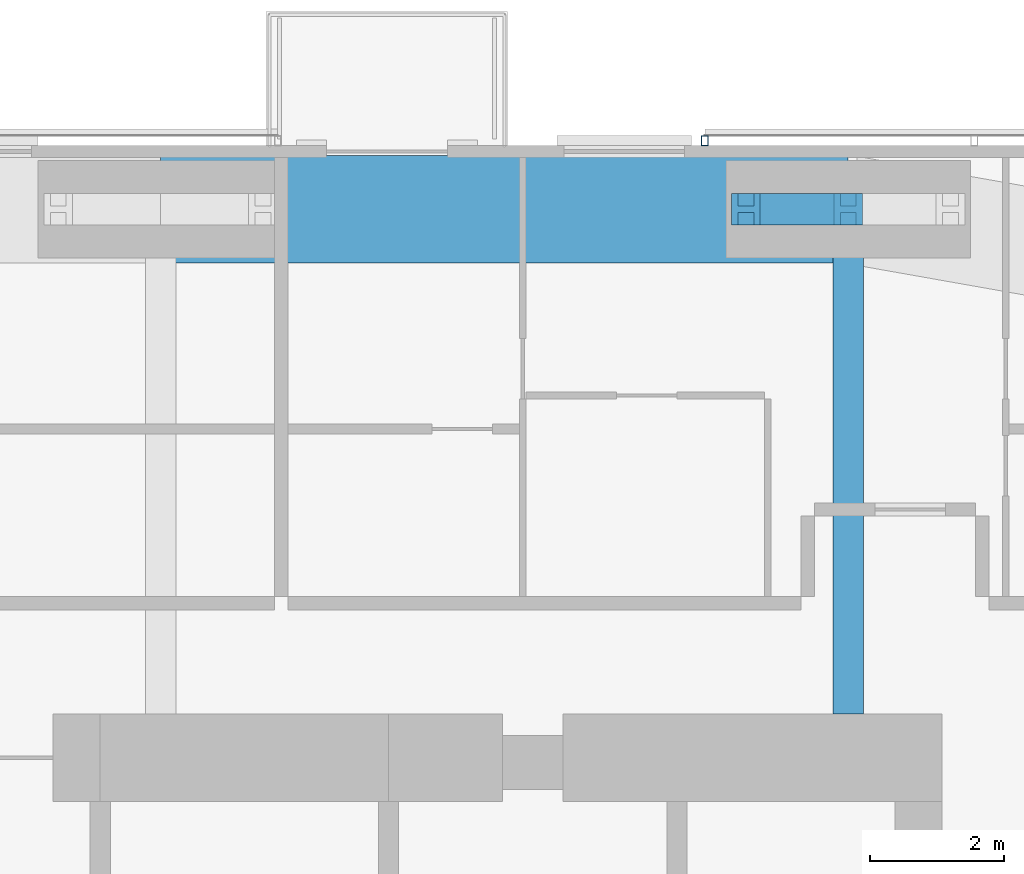
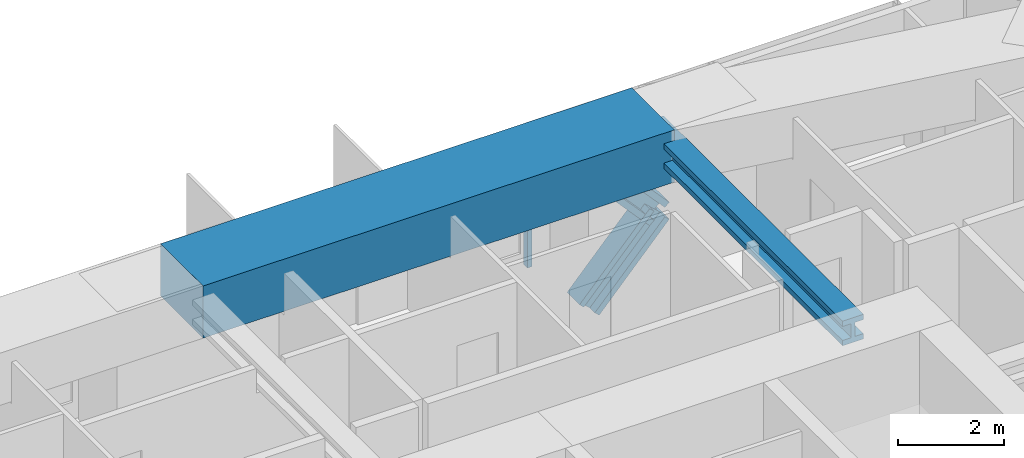
# One storey, part 12 of 23: 3 members, 2 beams, 1 element without a shape of its own.
"""IFC4 building model written with IfcOpenShell, lengths in metres."""

from ifc_helpers import new_model, si_unit, direction, frame, origin, origin_2d, place, context, subcontext, project, spatial, rectangle, hollow_rectangle, i_section, extrude, material, material_profile, profile_set, type_object, element, aggregate, save


model = new_model("IFC4")

# Units and contexts
model_context = context("Model", 3, precision=1e-05, world=origin(), true_north=direction((0.0, 1.0)))
body_context = subcontext(model_context, "Body", "Model", "MODEL_VIEW")
ifc_project = project(units=[si_unit("LENGTHUNIT", "METRE"), si_unit("AREAUNIT", "SQUARE_METRE"), si_unit("VOLUMEUNIT", "CUBIC_METRE"), si_unit("PLANEANGLEUNIT", "RADIAN"), si_unit("MASSUNIT", "GRAM", prefix="KILO")], contexts=[model_context])

# Site, building, storey
site_placement = place(None, origin())
site = spatial("IfcSite", under=ifc_project, at=site_placement, CompositionType="ELEMENT")
building_placement = place(site_placement, origin())
building = spatial("IfcBuilding", under=site, at=building_placement, Name="Jalousie Tower", CompositionType="ELEMENT")
storey_placement = place(building_placement, frame((0.0, 0.0, 197.89990234375)))
storey = spatial("IfcBuildingStorey", under=building, at=storey_placement, Name="L54", CompositionType="ELEMENT", Elevation=197.89990234375)

# Beam
ifc_material_1 = material(Name="Steel ASTM A992 Grade 50", Category="steel")
ifc_material_profile_1 = material_profile(ifc_material_1, i_section(OverallWidth=0.45458984375, OverallDepth=0.569091796875, WebThickness=0.077880859375, FlangeThickness=0.124755859375, at=origin_2d()), Name="W14X730")
ifc_profile_set_1 = profile_set([ifc_material_profile_1], Name="Steel ASTM A992 Grade 50")
beam_type_1 = type_object("IfcBeamType", Name="LEAN COLLECTOR W14X730", PredefinedType="BEAM", material=ifc_profile_set_1)
beam_1_placement = place(storey_placement, frame((42.75, 35.050048828125, 2.82568359375), z_axis=(0.0, -1.0, 0.0), x_axis=(1.0, 0.0, 0.0)))
element("IfcBeam", 1, at=beam_1_placement, inside=storey, type_object=beam_type_1, Name="Lean collector under L55", PredefinedType="BEAM", context=body_context, shape_type="SweptSolid", body=[
    extrude(i_section(OverallWidth=0.45458984375, OverallDepth=0.569091796875, WebThickness=0.077880859375, FlangeThickness=0.124755859375, at=origin_2d()), origin(), (0.0, 0.0, 1.0), 7.525146484375),
])

# Members
ifc_material_2 = material(Name="Steel ASTM A992 Grade 50", Category="steel")
ifc_material_profile_2 = material_profile(ifc_material_2, i_section(OverallWidth=0.472412109375, OverallDepth=0.5791015625, WebThickness=0.094970703125, FlangeThickness=0.1298828125, at=origin_2d()), Name="W14X808")
ifc_profile_set_2 = profile_set([ifc_material_profile_2], Name="Steel ASTM A992 Grade 50")
member_type_1 = type_object("IfcMemberType", Name="PERIMETER BRACE W14X808", PredefinedType="BRACE", material=ifc_profile_set_2)
for number, where, z_axis, x_axis, name in (
    (2, (41.22509765625, 35.050048828125, -0.599853515625), (0.673187629365, 0.0, 0.739471713908), (0.0, 1.0, 0.0), "Perimeter brace 09 L54 part 1"),
    (3, (42.75, 35.050048828125, 1.0751953125), (-0.673241284601, 0.0, 0.739422864611), (0.0, -1.0, 0.0), "Perimeter brace 09 L54 part 4"),
):
    element("IfcMember", number, at=place(storey_placement, frame(where, z_axis=z_axis, x_axis=x_axis)), inside=storey, type_object=member_type_1, Name=name, PredefinedType="BRACE", context=body_context, shape_type="SweptSolid", body=[
        extrude(i_section(OverallWidth=0.472412109375, OverallDepth=0.5791015625, WebThickness=0.094970703125, FlangeThickness=0.1298828125, at=origin_2d()), origin(), (0.0, 0.0, 1.0), 2.26513671875),
    ])

# Beam
ifc_material_3 = material(Name="Concrete f'c 40 MPa", Category="concrete")
ifc_material_profile_3 = material_profile(ifc_material_3, rectangle(XDim=1.60009765625, YDim=1.199951171875, at=origin_2d()), Name="RC 1600x1200")
ifc_profile_set_3 = profile_set([ifc_material_profile_3], Name="Concrete f'c 40 MPa")
beam_type_2 = type_object("IfcBeamType", Name="RC BEAM 1600x1200", PredefinedType="BEAM", material=ifc_profile_set_3)
beam_2_placement = place(storey_placement, frame((42.75, 35.050048828125, 2.75), z_axis=(-1.0, 0.0, 0.0), x_axis=(0.0, -1.0, 0.0)))
element("IfcBeam", 4, at=beam_2_placement, inside=storey, type_object=beam_type_2, Name="Edge band beam 09-10 under L55", PredefinedType="BEAM", context=body_context, shape_type="SweptSolid", body=[
    extrude(rectangle(XDim=1.60009765625, YDim=1.199951171875, at=origin_2d()), origin(), (0.0, 0.0, 1.0), 10.25),
])

# Curtain wall, member
ifc_material_4 = material(Name="Perforated aluminium sheet", Category="aluminium")
curtain_wall_type = type_object("IfcCurtainWallType", Name="SOLAR SCREEN SS-1", PredefinedType="USERDEFINED", material=ifc_material_4)
curtain_wall_placement = place(storey_placement, origin())
curtain_wall = element("IfcCurtainWall", 5, at=curtain_wall_placement, inside=storey, type_object=curtain_wall_type, Name="Solar screen L54", ObjectType="SOLAR SCREEN SS-1", PredefinedType="USERDEFINED")
ifc_material_5 = material(Name="Steel ASTM A500 Grade C", Category="steel")
ifc_material_profile_4 = material_profile(ifc_material_5, hollow_rectangle(XDim=0.1015625, YDim=0.15234375, WallThickness=0.00634765625, at=origin_2d()), Name="HSS6X4X1/4")
ifc_profile_set_4 = profile_set([ifc_material_profile_4], Name="Steel ASTM A500 Grade C")
member_type_2 = type_object("IfcMemberType", Name="SOLAR SCREEN SS-1 MULLION", PredefinedType="MULLION", material=ifc_profile_set_4)
member_placement = place(storey_placement, frame((40.612548828125, 36.0712890625, -0.119873046875), z_axis=(0.0, 0.0, 1.0), x_axis=(-1.0, 0.0, 0.0)))
member = element("IfcMember", 6, at=member_placement, type_object=member_type_2, Name="SS1 post 3", PredefinedType="MULLION", context=body_context, shape_type="SweptSolid", body=[
    extrude(hollow_rectangle(XDim=0.1015625, YDim=0.15234375, WallThickness=0.00634765625, at=origin_2d()), origin(), (0.0, 0.0, 1.0), 3.22998046875),
])
aggregate(curtain_wall, [member])

save(model, "model.ifc")
